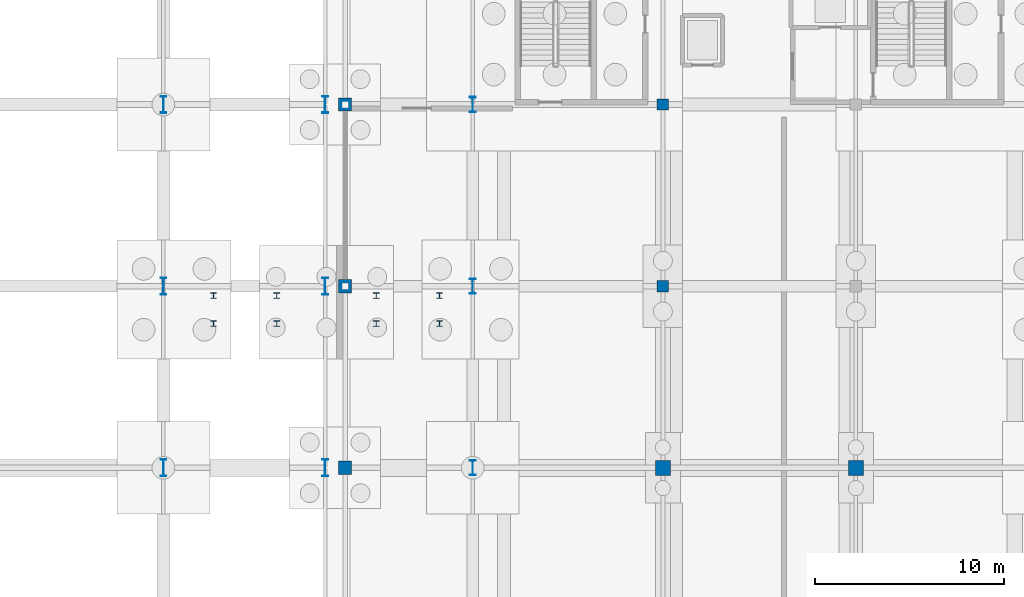
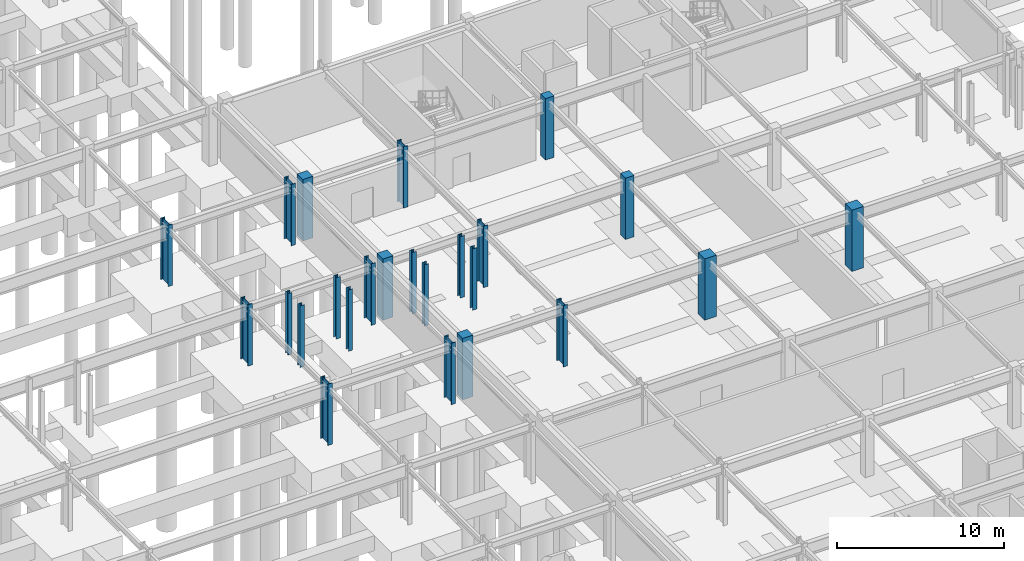
# One storey, part 19 of 59: 24 columns.
"""IFC4 building model written with IfcOpenShell, lengths in metres."""

from ifc_helpers import new_model, si_unit, direction, frame, origin, origin_2d, place, context, subcontext, project, spatial, rectangle, i_section, extrude, material, material_profile, profile_set, type_object, element, save


model = new_model("IFC4")

# Units and contexts
model_context = context("Model", 3, precision=1e-05, world=origin(), true_north=direction((0.0, 1.0)))
body_context = subcontext(model_context, "Body", "Model", "MODEL_VIEW")
ifc_project = project(units=[si_unit("LENGTHUNIT", "METRE"), si_unit("AREAUNIT", "SQUARE_METRE"), si_unit("VOLUMEUNIT", "CUBIC_METRE"), si_unit("PLANEANGLEUNIT", "RADIAN"), si_unit("MASSUNIT", "GRAM", prefix="KILO")], contexts=[model_context])

# Site, building, storey
site_placement = place(None, origin())
site = spatial("IfcSite", under=ifc_project, at=site_placement, CompositionType="ELEMENT")
building_placement = place(site_placement, origin())
building = spatial("IfcBuilding", under=site, at=building_placement, Name="Myrtia Square Station", CompositionType="ELEMENT")
storey_placement = place(building_placement, frame((0.0, 0.0, -4.5)))
storey = spatial("IfcBuildingStorey", under=building, at=storey_placement, Name="B01", CompositionType="ELEMENT", Elevation=-4.5)

# Columns
ifc_material_1 = material(Name="Steel S355", Category="steel")
ifc_material_profile_1 = material_profile(ifc_material_1, i_section(OverallWidth=0.300048828125, OverallDepth=0.300048828125, WebThickness=0.010986328125, FlangeThickness=0.01904296875, FilletRadius=0.027099609375, at=origin_2d()), Name="HEB 300")
ifc_profile_set_1 = profile_set([ifc_material_profile_1], Name="Steel S355")
column_type_1 = type_object("IfcColumnType", Name="COL-HEB300", PredefinedType="COLUMN", material=ifc_profile_set_1)
for number, where, z_axis, x_axis, name in (
    (1, (65.64990234375, 76.300048828125, 0.0), (0.0, 0.0, 1.0), (1.0, 0.0, 0.0), "Interchange stair substructure post 4-WN"),
    (2, (65.64990234375, 74.820068359375, 0.0), (0.0, 0.0, 1.0), (1.0, 0.0, 0.0), "Interchange stair substructure post 4-WS"),
    (3, (68.989990234375, 76.300048828125, 0.0), (0.0, 0.0, 1.0), (1.0, 0.0, 0.0), "Interchange stair substructure post 4-EN"),
    (4, (68.989990234375, 74.820068359375, 0.0), (0.0, 0.0, 1.0), (1.0, 0.0, 0.0), "Interchange stair substructure post 4-ES"),
    (5, (74.25, 76.300048828125, 0.0), (0.0, 0.0, 1.0), (1.0, 0.0, 0.0), "Interchange stair substructure post 5-WN"),
    (6, (74.25, 74.820068359375, 0.0), (0.0, 0.0, 1.0), (1.0, 0.0, 0.0), "Interchange stair substructure post 5-WS"),
    (7, (77.590087890625, 76.300048828125, 0.0), (0.0, 0.0, 1.0), (1.0, 0.0, 0.0), "Interchange stair substructure post 5-EN"),
    (8, (77.590087890625, 74.820068359375, 0.0), (0.0, 0.0, 1.0), (1.0, 0.0, 0.0), "Interchange stair substructure post 5-ES"),
):
    element("IfcColumn", number, at=place(storey_placement, frame(where, z_axis=z_axis, x_axis=x_axis)), inside=storey, type_object=column_type_1, Name=name, PredefinedType="COLUMN", context=body_context, shape_type="SweptSolid", body=[
        extrude(i_section(OverallWidth=0.300048828125, OverallDepth=0.300048828125, WebThickness=0.010986328125, FlangeThickness=0.01904296875, FilletRadius=0.027099609375, at=origin_2d()), origin(), (0.0, 0.0, 1.0), 4.5),
    ])
ifc_material_profile_2 = material_profile(ifc_material_1, i_section(OverallWidth=0.300048828125, OverallDepth=0.800048828125, WebThickness=0.017578125, FlangeThickness=0.032958984375, FilletRadius=0.030029296875, at=origin_2d()), Name="HEB 800")
ifc_profile_set_2 = profile_set([ifc_material_profile_2], Name="Steel S355")
column_type_2 = type_object("IfcColumnType", Name="COL-HEB800", PredefinedType="COLUMN", material=ifc_profile_set_2)
for number, where, z_axis, x_axis, name in (
    (9, (79.35009765625, 67.199951171875, 0.0), (0.0, 0.0, 1.0), (1.0, 0.0, 0.0), "Column B01-0339"),
    (10, (79.35009765625, 76.800048828125, 0.0), (0.0, 0.0, 1.0), (1.0, 0.0, 0.0), "Column B01-0361"),
    (11, (79.35009765625, 86.39990234375, 0.0), (0.0, 0.0, 1.0), (1.0, 0.0, 0.0), "Column B01-0383"),
):
    element("IfcColumn", number, at=place(storey_placement, frame(where, z_axis=z_axis, x_axis=x_axis)), inside=storey, type_object=column_type_2, Name=name, PredefinedType="COLUMN", context=body_context, shape_type="SweptSolid", body=[
        extrude(i_section(OverallWidth=0.300048828125, OverallDepth=0.800048828125, WebThickness=0.017578125, FlangeThickness=0.032958984375, FilletRadius=0.030029296875, at=origin_2d()), origin(), (0.0, 0.0, 1.0), 4.5),
    ])
ifc_material_profile_3 = material_profile(ifc_material_1, i_section(OverallWidth=0.300048828125, OverallDepth=0.89990234375, WebThickness=0.0185546875, FlangeThickness=0.034912109375, FilletRadius=0.030029296875, at=origin_2d()), Name="HEB 900")
ifc_profile_set_3 = profile_set([ifc_material_profile_3], Name="Steel S355")
column_type_3 = type_object("IfcColumnType", Name="COL-HEB900", PredefinedType="COLUMN", material=ifc_profile_set_3)
for number, where, z_axis, x_axis, name in (
    (12, (63.0, 67.199951171875, 0.0), (0.0, 0.0, 1.0), (1.0, 0.0, 0.0), "Column B01-0178"),
    (13, (63.0, 76.800048828125, 0.0), (0.0, 0.0, 1.0), (1.0, 0.0, 0.0), "Column B01-0181"),
    (14, (63.0, 86.39990234375, 0.0), (0.0, 0.0, 1.0), (1.0, 0.0, 0.0), "Column B01-0184"),
    (15, (71.550048828125, 67.199951171875, 0.0), (0.0, 0.0, 1.0), (1.0, 0.0, 0.0), "Column B01-0220"),
    (16, (71.550048828125, 76.800048828125, 0.0), (0.0, 0.0, 1.0), (1.0, 0.0, 0.0), "Column B01-0223"),
    (17, (71.550048828125, 86.39990234375, 0.0), (0.0, 0.0, 1.0), (1.0, 0.0, 0.0), "Column B01-0226"),
):
    element("IfcColumn", number, at=place(storey_placement, frame(where, z_axis=z_axis, x_axis=x_axis)), inside=storey, type_object=column_type_3, Name=name, PredefinedType="COLUMN", context=body_context, shape_type="SweptSolid", body=[
        extrude(i_section(OverallWidth=0.300048828125, OverallDepth=0.89990234375, WebThickness=0.0185546875, FlangeThickness=0.034912109375, FilletRadius=0.030029296875, at=origin_2d()), origin(), (0.0, 0.0, 1.0), 4.5),
    ])
ifc_material_2 = material(Name="Concrete C40/50", Category="concrete")
ifc_material_profile_4 = material_profile(ifc_material_2, rectangle(XDim=0.60009765625, YDim=0.60009765625, at=origin_2d()), Name="RC 600x600")
ifc_profile_set_4 = profile_set([ifc_material_profile_4], Name="Concrete C40/50")
column_type_4 = type_object("IfcColumnType", Name="COL-RC600", PredefinedType="COLUMN", material=ifc_profile_set_4)
for number, where, z_axis, x_axis, name in (
    (18, (89.39990234375, 76.800048828125, 0.0), (0.0, 0.0, 1.0), (1.0, 0.0, 0.0), "Column B01-0434"),
    (19, (89.39990234375, 86.39990234375, 0.0), (0.0, 0.0, 1.0), (1.0, 0.0, 0.0), "Column B01-0439"),
):
    element("IfcColumn", number, at=place(storey_placement, frame(where, z_axis=z_axis, x_axis=x_axis)), inside=storey, type_object=column_type_4, Name=name, PredefinedType="COLUMN", context=body_context, shape_type="SweptSolid", body=[
        extrude(rectangle(XDim=0.60009765625, YDim=0.60009765625, at=origin_2d()), origin(), (0.0, 0.0, 1.0), 4.5),
    ])
ifc_material_profile_5 = material_profile(ifc_material_2, rectangle(XDim=0.699951171875, YDim=0.699951171875, at=origin_2d()), Name="RC 700x700")
ifc_profile_set_5 = profile_set([ifc_material_profile_5], Name="Concrete C40/50")
column_type_5 = type_object("IfcColumnType", Name="COL-RC700", PredefinedType="COLUMN", material=ifc_profile_set_5)
for number, where, z_axis, x_axis, name in (
    (20, (72.60009765625, 67.199951171875, 0.0), (0.0, 0.0, 1.0), (1.0, 0.0, 0.0), "Column B01-0329"),
    (21, (72.60009765625, 76.800048828125, 0.0), (0.0, 0.0, 1.0), (1.0, 0.0, 0.0), "Column B01-0351"),
    (22, (72.60009765625, 86.39990234375, 0.0), (0.0, 0.0, 1.0), (1.0, 0.0, 0.0), "Column B01-0373"),
):
    element("IfcColumn", number, at=place(storey_placement, frame(where, z_axis=z_axis, x_axis=x_axis)), inside=storey, type_object=column_type_5, Name=name, PredefinedType="COLUMN", context=body_context, shape_type="SweptSolid", body=[
        extrude(rectangle(XDim=0.699951171875, YDim=0.699951171875, at=origin_2d()), origin(), (0.0, 0.0, 1.0), 4.5),
    ])
ifc_material_profile_6 = material_profile(ifc_material_2, rectangle(XDim=0.800048828125, YDim=0.800048828125, at=origin_2d()), Name="RC 800x800")
ifc_profile_set_6 = profile_set([ifc_material_profile_6], Name="Concrete C40/50")
column_type_6 = type_object("IfcColumnType", Name="COL-RC800", PredefinedType="COLUMN", material=ifc_profile_set_6)
for number, where, z_axis, x_axis, name in (
    (23, (89.39990234375, 67.199951171875, 0.0), (0.0, 0.0, 1.0), (1.0, 0.0, 0.0), "Column B01-0433"),
    (24, (99.60009765625, 67.199951171875, 0.0), (0.0, 0.0, 1.0), (1.0, 0.0, 0.0), "Column B01-0465"),
):
    element("IfcColumn", number, at=place(storey_placement, frame(where, z_axis=z_axis, x_axis=x_axis)), inside=storey, type_object=column_type_6, Name=name, PredefinedType="COLUMN", context=body_context, shape_type="SweptSolid", body=[
        extrude(rectangle(XDim=0.800048828125, YDim=0.800048828125, at=origin_2d()), origin(), (0.0, 0.0, 1.0), 4.5),
    ])

save(model, "model.ifc")
